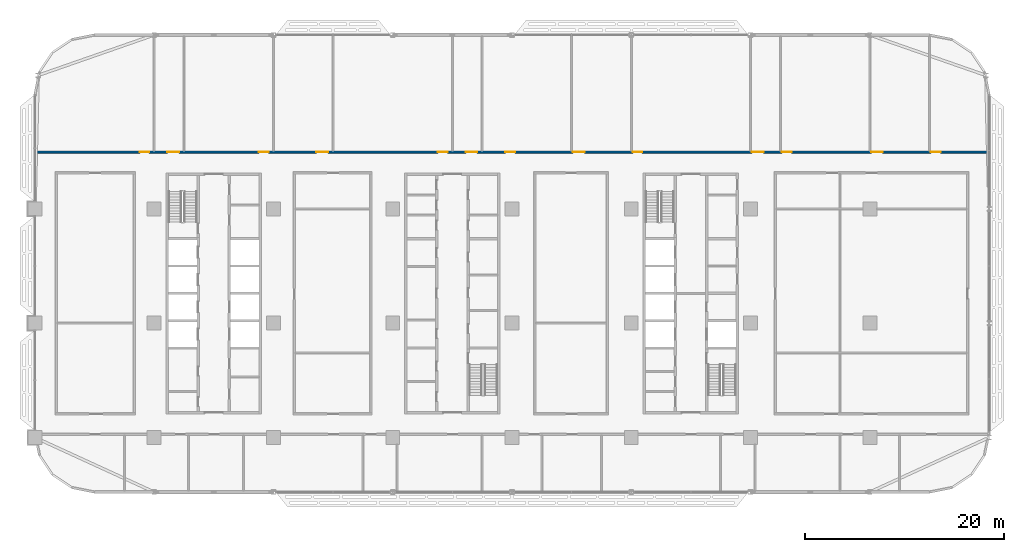
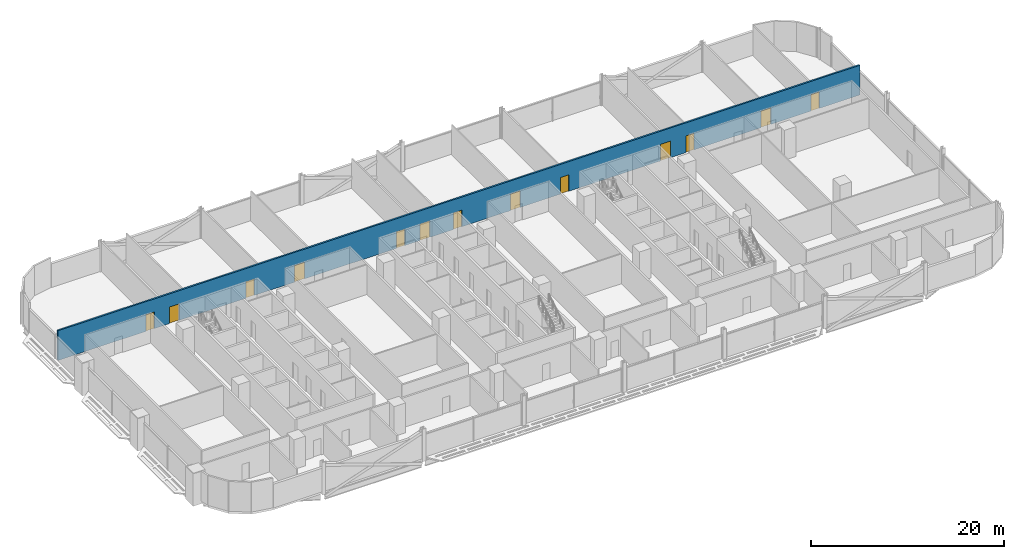
# One storey, part 15 of 29: 13 doors, 1 wall, 13 openings.
"""IFC4 building model written with IfcOpenShell, lengths in metres."""

from ifc_helpers import new_model, si_unit, direction, frame, frame_2d, origin, place, context, subcontext, project, spatial, rectangle, extrude, material, layer, layer_set, type_object, element, fill, save


model = new_model("IFC4")

# Units and contexts
model_context = context("Model", 3, precision=1e-05, world=origin(), true_north=direction((0.0, 1.0)))
body_context = subcontext(model_context, "Body", "Model", "MODEL_VIEW")
ifc_project = project(units=[si_unit("LENGTHUNIT", "METRE"), si_unit("AREAUNIT", "SQUARE_METRE"), si_unit("VOLUMEUNIT", "CUBIC_METRE"), si_unit("PLANEANGLEUNIT", "RADIAN"), si_unit("MASSUNIT", "GRAM", prefix="KILO")], contexts=[model_context])

# Site, building, storey
site_placement = place(None, origin())
site = spatial("IfcSite", under=ifc_project, at=site_placement, CompositionType="ELEMENT")
building_placement = place(site_placement, origin())
building = spatial("IfcBuilding", under=site, at=building_placement, Name="Mahtab Terrace Research Tower", CompositionType="ELEMENT")
storey_placement = place(building_placement, frame((0.0, 0.0, 88.89990234375)))
storey = spatial("IfcBuildingStorey", under=building, at=storey_placement, Name="L20", CompositionType="ELEMENT", Elevation=88.89990234375)

# Wall, openings, doors
ifc_material_1 = material(Name="Gypsum board corridor wall on steel studs", Category="steel")
ifc_layer = layer(ifc_material_1, 0.199951171875)
ifc_layer_set = layer_set([ifc_layer], Name="WALL CORRIDOR 200")
wall_type = type_object("IfcWallType", Name="WALL CORRIDOR 200", PredefinedType="PARTITIONING", material=ifc_layer_set)
wall_placement = place(storey_placement, frame((-41.97509765625, 17.199951171875, 0.0), z_axis=(0.0, 0.0, 1.0), x_axis=(1.0, 0.0, 0.0)))
wall = element("IfcWall", 1, at=wall_placement, inside=storey, type_object=wall_type, Name="L20-W024", PredefinedType="PARTITIONING", context=body_context, shape_type="SweptSolid", body=[
    extrude(rectangle(XDim=95.9501953125, YDim=0.199951171875, at=frame_2d((47.97509765625, 0.0))), origin(), (0.0, 0.0, 1.0), 3.760009765625),
])
opening_1_placement = place(wall_placement, frame((10.5, 0.0, 0.0)))
opening_1 = element("IfcOpeningElement", 2, at=opening_1_placement, cuts=wall, Name="Opening L20-127", PredefinedType="OPENING", context=body_context, shape_type="SweptSolid", body=[
    extrude(rectangle(XDim=1.0, YDim=2.10009765625, at=frame_2d((0.5, 1.050048828125))), frame((0.0, 0.10986328125, 0.0), z_axis=(0.0, -1.0, 0.0), x_axis=(1.0, 0.0, 0.0)), (0.0, 0.0, 1.0), 0.219970703125),
])
opening_2_placement = place(wall_placement, frame((13.300048828125, 0.0, 0.0)))
opening_2 = element("IfcOpeningElement", 3, at=opening_2_placement, cuts=wall, Name="Opening L20-128", PredefinedType="OPENING", context=body_context, shape_type="SweptSolid", body=[
    extrude(rectangle(XDim=1.199951171875, YDim=2.10009765625, at=frame_2d((0.60009765625, 1.050048828125))), frame((0.0, 0.10986328125, 0.0), z_axis=(0.0, -1.0, 0.0), x_axis=(1.0, 0.0, 0.0)), (0.0, 0.0, 1.0), 0.219970703125),
])
opening_3_placement = place(wall_placement, frame((22.5, 0.0, 0.0)))
opening_3 = element("IfcOpeningElement", 4, at=opening_3_placement, cuts=wall, Name="Opening L20-129", PredefinedType="OPENING", context=body_context, shape_type="SweptSolid", body=[
    extrude(rectangle(XDim=1.0, YDim=2.10009765625, at=frame_2d((0.5, 1.050048828125))), frame((0.0, 0.10986328125, 0.0), z_axis=(0.0, -1.0, 0.0), x_axis=(1.0, 0.0, 0.0)), (0.0, 0.0, 1.0), 0.219970703125),
])
opening_4_placement = place(wall_placement, frame((28.300048828125, 0.0, 0.0)))
opening_4 = element("IfcOpeningElement", 5, at=opening_4_placement, cuts=wall, Name="Opening L20-130", PredefinedType="OPENING", context=body_context, shape_type="SweptSolid", body=[
    extrude(rectangle(XDim=1.199951171875, YDim=2.10009765625, at=frame_2d((0.60009765625, 1.050048828125))), frame((0.0, 0.10986328125, 0.0), z_axis=(0.0, -1.0, 0.0), x_axis=(1.0, 0.0, 0.0)), (0.0, 0.0, 1.0), 0.219970703125),
])
opening_5_placement = place(wall_placement, frame((40.5, 0.0, 0.0)))
opening_5 = element("IfcOpeningElement", 6, at=opening_5_placement, cuts=wall, Name="Opening L20-131", PredefinedType="OPENING", context=body_context, shape_type="SweptSolid", body=[
    extrude(rectangle(XDim=1.0, YDim=2.10009765625, at=frame_2d((0.5, 1.050048828125))), frame((0.0, 0.10986328125, 0.0), z_axis=(0.0, -1.0, 0.0), x_axis=(1.0, 0.0, 0.0)), (0.0, 0.0, 1.0), 0.219970703125),
])
opening_6_placement = place(wall_placement, frame((43.300048828125, 0.0, 0.0)))
opening_6 = element("IfcOpeningElement", 7, at=opening_6_placement, cuts=wall, Name="Opening L20-132", PredefinedType="OPENING", context=body_context, shape_type="SweptSolid", body=[
    extrude(rectangle(XDim=1.199951171875, YDim=2.10009765625, at=frame_2d((0.60009765625, 1.050048828125))), frame((0.0, 0.10986328125, 0.0), z_axis=(0.0, -1.0, 0.0), x_axis=(1.0, 0.0, 0.0)), (0.0, 0.0, 1.0), 0.219970703125),
])
opening_7_placement = place(wall_placement, frame((47.300048828125, 0.0, 0.0)))
opening_7 = element("IfcOpeningElement", 8, at=opening_7_placement, cuts=wall, Name="Opening L20-133", PredefinedType="OPENING", context=body_context, shape_type="SweptSolid", body=[
    extrude(rectangle(XDim=1.0, YDim=2.10009765625, at=frame_2d((0.5, 1.050048828125))), frame((0.0, 0.10986328125, 0.0), z_axis=(0.0, -1.0, 0.0), x_axis=(1.0, 0.0, 0.0)), (0.0, 0.0, 1.0), 0.219970703125),
])
opening_8_placement = place(wall_placement, frame((54.10009765625, 0.0, 0.0)))
opening_8 = element("IfcOpeningElement", 9, at=opening_8_placement, cuts=wall, Name="Opening L20-134", PredefinedType="OPENING", context=body_context, shape_type="SweptSolid", body=[
    extrude(rectangle(XDim=1.199951171875, YDim=2.10009765625, at=frame_2d((0.60009765625, 1.050048828125))), frame((0.0, 0.10986328125, 0.0), z_axis=(0.0, -1.0, 0.0), x_axis=(1.0, 0.0, 0.0)), (0.0, 0.0, 1.0), 0.219970703125),
])
opening_9_placement = place(wall_placement, frame((60.10009765625, 0.0, 0.0)))
opening_9 = element("IfcOpeningElement", 10, at=opening_9_placement, cuts=wall, Name="Opening L20-135", PredefinedType="OPENING", context=body_context, shape_type="SweptSolid", body=[
    extrude(rectangle(XDim=1.0, YDim=2.10009765625, at=frame_2d((0.5, 1.050048828125))), frame((0.0, 0.10986328125, 0.0), z_axis=(0.0, -1.0, 0.0), x_axis=(1.0, 0.0, 0.0)), (0.0, 0.0, 1.0), 0.219970703125),
])
opening_10_placement = place(wall_placement, frame((72.10009765625, 0.0, 0.0)))
opening_10 = element("IfcOpeningElement", 11, at=opening_10_placement, cuts=wall, Name="Opening L20-136", PredefinedType="OPENING", context=body_context, shape_type="SweptSolid", body=[
    extrude(rectangle(XDim=1.199951171875, YDim=2.10009765625, at=frame_2d((0.60009765625, 1.050048828125))), frame((0.0, 0.10986328125, 0.0), z_axis=(0.0, -1.0, 0.0), x_axis=(1.0, 0.0, 0.0)), (0.0, 0.0, 1.0), 0.219970703125),
])
opening_11_placement = place(wall_placement, frame((75.10009765625, 0.0, 0.0)))
opening_11 = element("IfcOpeningElement", 12, at=opening_11_placement, cuts=wall, Name="Opening L20-137", PredefinedType="OPENING", context=body_context, shape_type="SweptSolid", body=[
    extrude(rectangle(XDim=1.0, YDim=2.10009765625, at=frame_2d((0.5, 1.050048828125))), frame((0.0, 0.10986328125, 0.0), z_axis=(0.0, -1.0, 0.0), x_axis=(1.0, 0.0, 0.0)), (0.0, 0.0, 1.0), 0.219970703125),
])
opening_12_placement = place(wall_placement, frame((84.10009765625, 0.0, 0.0)))
opening_12 = element("IfcOpeningElement", 13, at=opening_12_placement, cuts=wall, Name="Opening L20-138", PredefinedType="OPENING", context=body_context, shape_type="SweptSolid", body=[
    extrude(rectangle(XDim=1.199951171875, YDim=2.10009765625, at=frame_2d((0.60009765625, 1.050048828125))), frame((0.0, 0.10986328125, 0.0), z_axis=(0.0, -1.0, 0.0), x_axis=(1.0, 0.0, 0.0)), (0.0, 0.0, 1.0), 0.219970703125),
])
opening_13_placement = place(wall_placement, frame((90.10009765625, 0.0, 0.0)))
opening_13 = element("IfcOpeningElement", 14, at=opening_13_placement, cuts=wall, Name="Opening L20-139", PredefinedType="OPENING", context=body_context, shape_type="SweptSolid", body=[
    extrude(rectangle(XDim=1.0, YDim=2.10009765625, at=frame_2d((0.5, 1.050048828125))), frame((0.0, 0.10986328125, 0.0), z_axis=(0.0, -1.0, 0.0), x_axis=(1.0, 0.0, 0.0)), (0.0, 0.0, 1.0), 0.219970703125),
])
ifc_material_2 = material(Name="Timber door leaf in steel frame", Category="steel")
door_type_1 = type_object("IfcDoorType", Name="DOOR 1000X2100 FD30S", OperationType="SINGLE_SWING_LEFT", PredefinedType="DOOR", material=ifc_material_2)
door_1_placement = place(opening_1_placement, origin())
door_1 = element("IfcDoor", 15, at=door_1_placement, inside=storey, type_object=door_type_1, Name="Door L20-127", OperationType="SINGLE_SWING_LEFT", OverallHeight=2.10009765625, OverallWidth=1.0, PredefinedType="DOOR", context=body_context, shape_type="SweptSolid", body=[
    extrude(rectangle(XDim=1.0, YDim=2.10009765625, at=frame_2d((0.5, 1.050048828125))), frame((0.0, 0.02490234375, 0.0), z_axis=(0.0, -1.0, 0.0), x_axis=(1.0, 0.0, 0.0)), (0.0, 0.0, 1.0), 0.050048828125),
])
fill(opening_1, door_1)
door_2_placement = place(opening_3_placement, origin())
door_2 = element("IfcDoor", 16, at=door_2_placement, inside=storey, type_object=door_type_1, Name="Door L20-129", OperationType="SINGLE_SWING_LEFT", OverallHeight=2.10009765625, OverallWidth=1.0, PredefinedType="DOOR", context=body_context, shape_type="SweptSolid", body=[
    extrude(rectangle(XDim=1.0, YDim=2.10009765625, at=frame_2d((0.5, 1.050048828125))), frame((0.0, 0.02490234375, 0.0), z_axis=(0.0, -1.0, 0.0), x_axis=(1.0, 0.0, 0.0)), (0.0, 0.0, 1.0), 0.050048828125),
])
fill(opening_3, door_2)
door_3_placement = place(opening_5_placement, origin())
door_3 = element("IfcDoor", 17, at=door_3_placement, inside=storey, type_object=door_type_1, Name="Door L20-131", OperationType="SINGLE_SWING_LEFT", OverallHeight=2.10009765625, OverallWidth=1.0, PredefinedType="DOOR", context=body_context, shape_type="SweptSolid", body=[
    extrude(rectangle(XDim=1.0, YDim=2.10009765625, at=frame_2d((0.5, 1.050048828125))), frame((0.0, 0.02490234375, 0.0), z_axis=(0.0, -1.0, 0.0), x_axis=(1.0, 0.0, 0.0)), (0.0, 0.0, 1.0), 0.050048828125),
])
fill(opening_5, door_3)
door_4_placement = place(opening_7_placement, origin())
door_4 = element("IfcDoor", 18, at=door_4_placement, inside=storey, type_object=door_type_1, Name="Door L20-133", OperationType="SINGLE_SWING_LEFT", OverallHeight=2.10009765625, OverallWidth=1.0, PredefinedType="DOOR", context=body_context, shape_type="SweptSolid", body=[
    extrude(rectangle(XDim=1.0, YDim=2.10009765625, at=frame_2d((0.5, 1.050048828125))), frame((0.0, 0.02490234375, 0.0), z_axis=(0.0, -1.0, 0.0), x_axis=(1.0, 0.0, 0.0)), (0.0, 0.0, 1.0), 0.050048828125),
])
fill(opening_7, door_4)
door_5_placement = place(opening_9_placement, origin())
door_5 = element("IfcDoor", 19, at=door_5_placement, inside=storey, type_object=door_type_1, Name="Door L20-135", OperationType="SINGLE_SWING_RIGHT", OverallHeight=2.10009765625, OverallWidth=1.0, PredefinedType="DOOR", context=body_context, shape_type="SweptSolid", body=[
    extrude(rectangle(XDim=1.0, YDim=2.10009765625, at=frame_2d((0.5, 1.050048828125))), frame((0.0, 0.02490234375, 0.0), z_axis=(0.0, -1.0, 0.0), x_axis=(1.0, 0.0, 0.0)), (0.0, 0.0, 1.0), 0.050048828125),
])
fill(opening_9, door_5)
door_6_placement = place(opening_11_placement, origin())
door_6 = element("IfcDoor", 20, at=door_6_placement, inside=storey, type_object=door_type_1, Name="Door L20-137", OperationType="SINGLE_SWING_RIGHT", OverallHeight=2.10009765625, OverallWidth=1.0, PredefinedType="DOOR", context=body_context, shape_type="SweptSolid", body=[
    extrude(rectangle(XDim=1.0, YDim=2.10009765625, at=frame_2d((0.5, 1.050048828125))), frame((0.0, 0.02490234375, 0.0), z_axis=(0.0, -1.0, 0.0), x_axis=(1.0, 0.0, 0.0)), (0.0, 0.0, 1.0), 0.050048828125),
])
fill(opening_11, door_6)
door_7_placement = place(opening_13_placement, origin())
door_7 = element("IfcDoor", 21, at=door_7_placement, inside=storey, type_object=door_type_1, Name="Door L20-139", OperationType="SINGLE_SWING_RIGHT", OverallHeight=2.10009765625, OverallWidth=1.0, PredefinedType="DOOR", context=body_context, shape_type="SweptSolid", body=[
    extrude(rectangle(XDim=1.0, YDim=2.10009765625, at=frame_2d((0.5, 1.050048828125))), frame((0.0, 0.02490234375, 0.0), z_axis=(0.0, -1.0, 0.0), x_axis=(1.0, 0.0, 0.0)), (0.0, 0.0, 1.0), 0.050048828125),
])
fill(opening_13, door_7)
door_type_2 = type_object("IfcDoorType", Name="DOOR 1200X2100 FD30S", OperationType="SINGLE_SWING_LEFT", PredefinedType="DOOR", material=ifc_material_2)
door_8_placement = place(opening_2_placement, origin())
door_8 = element("IfcDoor", 22, at=door_8_placement, inside=storey, type_object=door_type_2, Name="Door L20-128", OperationType="SINGLE_SWING_LEFT", OverallHeight=2.10009765625, OverallWidth=1.199951171875, PredefinedType="DOOR", context=body_context, shape_type="SweptSolid", body=[
    extrude(rectangle(XDim=1.199951171875, YDim=2.10009765625, at=frame_2d((0.60009765625, 1.050048828125))), frame((0.0, 0.02490234375, 0.0), z_axis=(0.0, -1.0, 0.0), x_axis=(1.0, 0.0, 0.0)), (0.0, 0.0, 1.0), 0.050048828125),
])
fill(opening_2, door_8)
door_9_placement = place(opening_4_placement, origin())
door_9 = element("IfcDoor", 23, at=door_9_placement, inside=storey, type_object=door_type_2, Name="Door L20-130", OperationType="SINGLE_SWING_LEFT", OverallHeight=2.10009765625, OverallWidth=1.199951171875, PredefinedType="DOOR", context=body_context, shape_type="SweptSolid", body=[
    extrude(rectangle(XDim=1.199951171875, YDim=2.10009765625, at=frame_2d((0.60009765625, 1.050048828125))), frame((0.0, 0.02490234375, 0.0), z_axis=(0.0, -1.0, 0.0), x_axis=(1.0, 0.0, 0.0)), (0.0, 0.0, 1.0), 0.050048828125),
])
fill(opening_4, door_9)
door_10_placement = place(opening_6_placement, origin())
door_10 = element("IfcDoor", 24, at=door_10_placement, inside=storey, type_object=door_type_2, Name="Door L20-132", OperationType="SINGLE_SWING_LEFT", OverallHeight=2.10009765625, OverallWidth=1.199951171875, PredefinedType="DOOR", context=body_context, shape_type="SweptSolid", body=[
    extrude(rectangle(XDim=1.199951171875, YDim=2.10009765625, at=frame_2d((0.60009765625, 1.050048828125))), frame((0.0, 0.02490234375, 0.0), z_axis=(0.0, -1.0, 0.0), x_axis=(1.0, 0.0, 0.0)), (0.0, 0.0, 1.0), 0.050048828125),
])
fill(opening_6, door_10)
door_11_placement = place(opening_8_placement, origin())
door_11 = element("IfcDoor", 25, at=door_11_placement, inside=storey, type_object=door_type_2, Name="Door L20-134", OperationType="SINGLE_SWING_RIGHT", OverallHeight=2.10009765625, OverallWidth=1.199951171875, PredefinedType="DOOR", context=body_context, shape_type="SweptSolid", body=[
    extrude(rectangle(XDim=1.199951171875, YDim=2.10009765625, at=frame_2d((0.60009765625, 1.050048828125))), frame((0.0, 0.02490234375, 0.0), z_axis=(0.0, -1.0, 0.0), x_axis=(1.0, 0.0, 0.0)), (0.0, 0.0, 1.0), 0.050048828125),
])
fill(opening_8, door_11)
door_12_placement = place(opening_10_placement, origin())
door_12 = element("IfcDoor", 26, at=door_12_placement, inside=storey, type_object=door_type_2, Name="Door L20-136", OperationType="SINGLE_SWING_RIGHT", OverallHeight=2.10009765625, OverallWidth=1.199951171875, PredefinedType="DOOR", context=body_context, shape_type="SweptSolid", body=[
    extrude(rectangle(XDim=1.199951171875, YDim=2.10009765625, at=frame_2d((0.60009765625, 1.050048828125))), frame((0.0, 0.02490234375, 0.0), z_axis=(0.0, -1.0, 0.0), x_axis=(1.0, 0.0, 0.0)), (0.0, 0.0, 1.0), 0.050048828125),
])
fill(opening_10, door_12)
door_13_placement = place(opening_12_placement, origin())
door_13 = element("IfcDoor", 27, at=door_13_placement, inside=storey, type_object=door_type_2, Name="Door L20-138", OperationType="SINGLE_SWING_RIGHT", OverallHeight=2.10009765625, OverallWidth=1.199951171875, PredefinedType="DOOR", context=body_context, shape_type="SweptSolid", body=[
    extrude(rectangle(XDim=1.199951171875, YDim=2.10009765625, at=frame_2d((0.60009765625, 1.050048828125))), frame((0.0, 0.02490234375, 0.0), z_axis=(0.0, -1.0, 0.0), x_axis=(1.0, 0.0, 0.0)), (0.0, 0.0, 1.0), 0.050048828125),
])
fill(opening_12, door_13)

save(model, "model.ifc")
